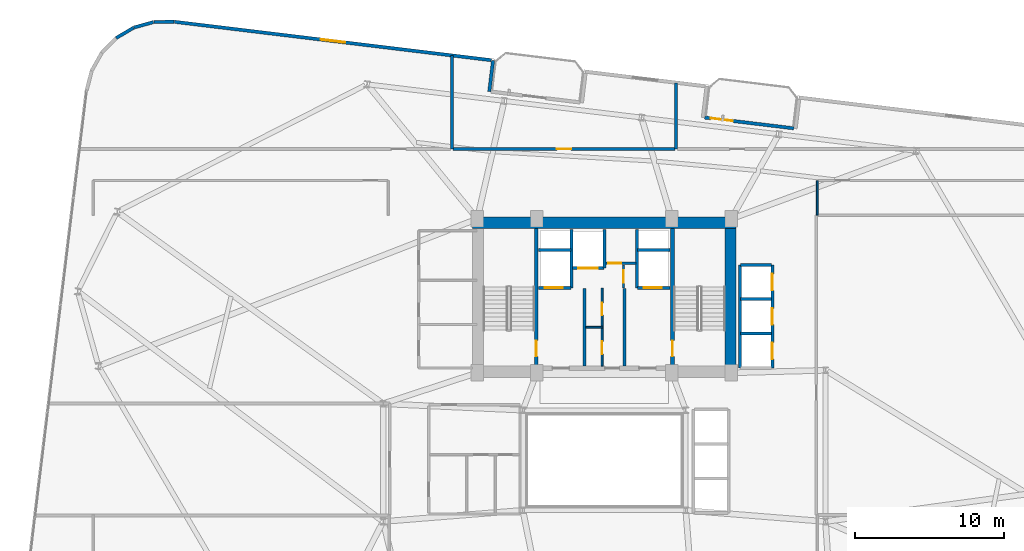
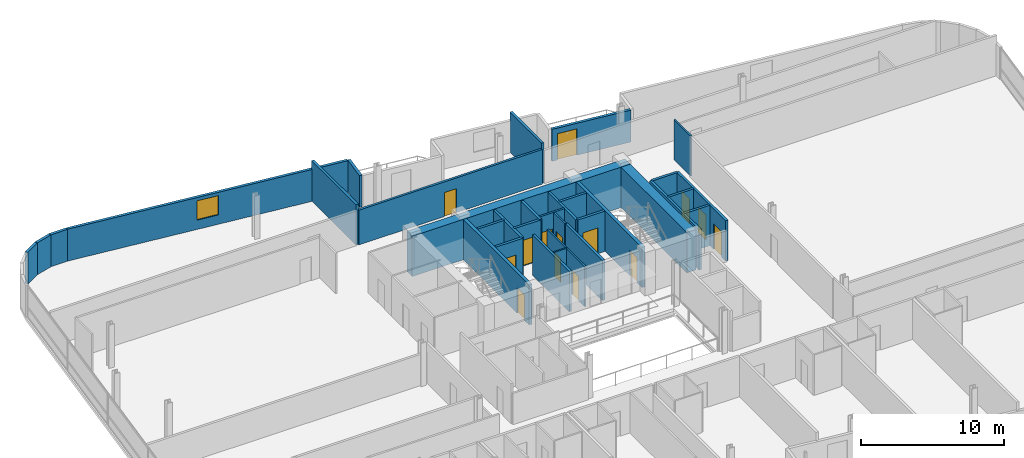
# One storey, part 23 of 26: 33 walls, 14 doors, 1 window, 15 openings.
"""IFC4 building model written with IfcOpenShell, lengths in metres."""

from ifc_helpers import new_model, si_unit, direction, frame, frame_2d, origin, place, context, subcontext, project, spatial, rectangle, extrude, material, layer, layer_set, type_object, element, fill, save


model = new_model("IFC4")

# Units and contexts
model_context = context("Model", 3, precision=1e-05, world=origin(), true_north=direction((0.0, 1.0)))
body_context = subcontext(model_context, "Body", "Model", "MODEL_VIEW")
ifc_project = project(units=[si_unit("LENGTHUNIT", "METRE"), si_unit("AREAUNIT", "SQUARE_METRE"), si_unit("VOLUMEUNIT", "CUBIC_METRE"), si_unit("PLANEANGLEUNIT", "RADIAN"), si_unit("MASSUNIT", "GRAM", prefix="KILO")], contexts=[model_context])

# Site, building, storey
site_placement = place(None, origin())
site = spatial("IfcSite", under=ifc_project, at=site_placement, CompositionType="ELEMENT")
building_placement = place(site_placement, origin())
building = spatial("IfcBuilding", under=site, at=building_placement, Name="Varnelok Gate Tower", CompositionType="ELEMENT")
storey_placement = place(building_placement, frame((0.0, 0.0, 155.0)))
storey = spatial("IfcBuildingStorey", under=building, at=storey_placement, Name="L39", CompositionType="ELEMENT", Elevation=155.0)

# Wall, opening, door
ifc_material_1 = material(Name="Concrete C45/55", Category="concrete")
ifc_layer_1 = layer(ifc_material_1, 0.219970703125)
ifc_layer_set_1 = layer_set([ifc_layer_1], Name="Concrete C45/55")
wall_type_1 = type_object("IfcWallType", Name="EW-BALC-220", PredefinedType="SOLIDWALL", material=ifc_layer_set_1)
wall_1_placement = place(storey_placement, frame((45.919677734375, 45.83056640625, 0.0), z_axis=(0.0, 0.0, 1.0), x_axis=(0.992729951822, -0.120362962556, 0.0)))
wall_1 = element("IfcWall", 1, at=wall_1_placement, inside=storey, type_object=wall_type_1, Name="L39 North Terrace Envelope Wall 4", PredefinedType="SOLIDWALL", context=body_context, shape_type="SweptSolid", body=[
    extrude(rectangle(XDim=6.0, YDim=0.219970703125, at=frame_2d((3.0, 0.0))), origin(), (0.0, 0.0, 1.0), 2.72998046875),
])
opening_1_placement = place(wall_1_placement, frame((0.39990234375, 0.0, 0.0)))
opening_1 = element("IfcOpeningElement", 2, at=opening_1_placement, cuts=wall_1, Name="Opening BD-1", PredefinedType="OPENING", context=body_context, shape_type="SweptSolid", body=[
    extrude(rectangle(XDim=1.5, YDim=2.25, at=frame_2d((0.75, 1.125))), frame((0.0, 0.119873046875, 0.0), z_axis=(0.0, -1.0, 0.0), x_axis=(1.0, 0.0, 0.0)), (0.0, 0.0, 1.0), 0.239990234375),
])
ifc_material_2 = material(Name="Anodized Aluminum Alloy 6063-T6", Category="aluminium")
door_type_1 = type_object("IfcDoorType", Name="DR-EXT-BALC1500", OperationType="NOTDEFINED", PredefinedType="DOOR", material=ifc_material_2)
door_1_placement = place(opening_1_placement, origin())
door_1 = element("IfcDoor", 3, at=door_1_placement, inside=storey, type_object=door_type_1, Name="L39 North Balcony Glazed Door 4", OperationType="SINGLE_SWING_LEFT", OverallHeight=2.25, OverallWidth=1.5, PredefinedType="DOOR", context=body_context, shape_type="SweptSolid", body=[
    extrude(rectangle(XDim=1.5, YDim=2.25, at=frame_2d((0.75, 1.125))), frame((0.0, 0.02490234375, 0.0), z_axis=(0.0, -1.0, 0.0), x_axis=(1.0, 0.0, 0.0)), (0.0, 0.0, 1.0), 0.050048828125),
])
fill(opening_1, door_1)

# Wall
wall_2_placement = place(storey_placement, frame((31.50390625, 47.568115234375, 0.0), z_axis=(0.0, 0.0, 1.0), x_axis=(0.120341784665, 0.992732519294, 0.0)))
element("IfcWall", 4, at=wall_2_placement, inside=storey, type_object=wall_type_1, Name="L39 Perimeter Facade Closure Wall 31", PredefinedType="SOLIDWALL", context=body_context, shape_type="SweptSolid", body=[
    extrude(rectangle(XDim=2.099853515625, YDim=0.219970703125, at=frame_2d((1.0498046875, 0.0))), origin(), (0.0, 0.0, 1.0), 2.72998046875),
])

# Wall, opening, window
wall_3_placement = place(storey_placement, frame((31.632568359375, 49.667724609375, 0.0), z_axis=(0.0, 0.0, 1.0), x_axis=(-0.992731670483, 0.120348786531, 0.0)))
wall_3 = element("IfcWall", 5, at=wall_3_placement, inside=storey, type_object=wall_type_1, Name="L39 Perimeter Facade Closure Wall 32", PredefinedType="SOLIDWALL", context=body_context, shape_type="SweptSolid", body=[
    extrude(rectangle(XDim=21.34716796875, YDim=0.219970703125, at=frame_2d((10.673583984375, 0.0))), origin(), (0.0, 0.0, 1.0), 2.72998046875),
])
opening_2_placement = place(wall_3_placement, frame((9.8486328125, 0.0, 0.800048828125)))
opening_2 = element("IfcOpeningElement", 6, at=opening_2_placement, cuts=wall_3, Name="Opening WN3", PredefinedType="OPENING", context=body_context, shape_type="SweptSolid", body=[
    extrude(rectangle(XDim=1.64990234375, YDim=1.64990234375, at=frame_2d((0.824951171875, 0.824951171875))), frame((0.0, 0.119873046875, 0.0), z_axis=(0.0, -1.0, 0.0), x_axis=(1.0, 0.0, 0.0)), (0.0, 0.0, 1.0), 0.239990234375),
])
ifc_material_3 = material(Name="Low-E Laminated Double Glazing IGU", Category="glass")
window_type = type_object("IfcWindowType", Name="WN-HTL-1650", PartitioningType="SINGLE_PANEL", PredefinedType="WINDOW", material=ifc_material_3)
window_placement = place(opening_2_placement, origin())
window = element("IfcWindow", 7, at=window_placement, inside=storey, type_object=window_type, Name="L39 Perimeter Vision Window 32", OverallHeight=1.64990234375, OverallWidth=1.64990234375, PartitioningType="SINGLE_PANEL", PredefinedType="WINDOW", context=body_context, shape_type="SweptSolid", body=[
    extrude(rectangle(XDim=1.64990234375, YDim=1.64990234375, at=frame_2d((0.824951171875, 0.824951171875))), frame((0.0, 0.030029296875, 0.0), z_axis=(0.0, -1.0, 0.0), x_axis=(1.0, 0.0, 0.0)), (0.0, 0.0, 1.0), 0.06005859375),
])
fill(opening_2, window)

# Walls
wall_4_placement = place(storey_placement, frame((10.41552734375, 52.236572265625, 0.0), z_axis=(0.0, 0.0, 1.0), x_axis=(-0.999947718056, -0.010225514878, 0.0)))
element("IfcWall", 8, at=wall_4_placement, inside=storey, type_object=wall_type_1, Name="L39 Perimeter Facade Closure Wall 33", PredefinedType="SOLIDWALL", context=body_context, shape_type="SweptSolid", body=[
    extrude(rectangle(XDim=1.36083984375, YDim=0.219970703125, at=frame_2d((0.680419921875, 0.0))), origin(), (0.0, 0.0, 1.0), 2.72998046875),
])
for number, where, z_axis, x_axis, name in (
    (9, (9.030517578125, 52.2158203125, 0.0), (0.0, 0.0, 1.0), (-0.963227802828, -0.268686061898, 0.0), "L39 Perimeter Facade Closure Wall 34"),
    (10, (7.70556640625, 51.839599609375, 0.0), (0.0, 0.0, 1.0), (-0.860739665837, -0.509045408244, 0.0), "L39 Perimeter Facade Closure Wall 35"),
):
    element("IfcWall", number, at=place(storey_placement, frame(where, z_axis=z_axis, x_axis=x_axis)), inside=storey, type_object=wall_type_1, Name=name, PredefinedType="SOLIDWALL", context=body_context, shape_type="SweptSolid", body=[
        extrude(rectangle(XDim=1.35302734375, YDim=0.219970703125, at=frame_2d((0.676513671875, 0.0))), origin(), (0.0, 0.0, 1.0), 2.72998046875),
    ])

# Wall, opening, door
ifc_material_4 = material(Name="Gypsum Plasterboard Acoustic Partition", Category="gypsum")
ifc_layer_2 = layer(ifc_material_4, 0.179931640625)
ifc_layer_set_2 = layer_set([ifc_layer_2], Name="Gypsum Plasterboard Acoustic Partition")
wall_type_2 = type_object("IfcWallType", Name="PW-CORR-180", PredefinedType="PARTITIONING", material=ifc_layer_set_2)
wall_5_placement = place(storey_placement, frame((29.080078125, 43.72998046875, 0.0), z_axis=(0.0, 0.0, 1.0), x_axis=(1.0, 0.0, 0.0)))
wall_5 = element("IfcWall", 11, at=wall_5_placement, inside=storey, type_object=wall_type_2, Name="Interior Partition", PredefinedType="PARTITIONING", context=body_context, shape_type="SweptSolid", body=[
    extrude(rectangle(XDim=14.83984375, YDim=0.179931640625, at=frame_2d((7.419921875, 0.0))), origin(), (0.0, 0.0, 1.0), 2.971923828125),
])
opening_3_placement = place(wall_5_placement, frame((6.945068359375, 0.0, 0.0)))
opening_3 = element("IfcOpeningElement", 12, at=opening_3_placement, cuts=wall_5, Name="Opening D-I2", PredefinedType="OPENING", context=body_context, shape_type="SweptSolid", body=[
    extrude(rectangle(XDim=0.949951171875, YDim=2.050048828125, at=frame_2d((0.47509765625, 1.02490234375))), frame((0.0, 0.099853515625, 0.0), z_axis=(0.0, -1.0, 0.0), x_axis=(1.0, 0.0, 0.0)), (0.0, 0.0, 1.0), 0.199951171875),
])
ifc_material_5 = material(Name="Engineered Hardwood Timber", Category="wood")
door_type_2 = type_object("IfcDoorType", Name="DR-INT-950", OperationType="NOTDEFINED", PredefinedType="DOOR", material=ifc_material_5)
door_2_placement = place(opening_3_placement, origin())
door_2 = element("IfcDoor", 13, at=door_2_placement, inside=storey, type_object=door_type_2, Name="L39 Hotel Fitness Studio Door", OperationType="SINGLE_SWING_LEFT", OverallHeight=2.050048828125, OverallWidth=0.949951171875, PredefinedType="DOOR", context=body_context, shape_type="SweptSolid", body=[
    extrude(rectangle(XDim=0.949951171875, YDim=2.050048828125, at=frame_2d((0.47509765625, 1.02490234375))), frame((0.0, 0.02490234375, 0.0), z_axis=(0.0, -1.0, 0.0), x_axis=(1.0, 0.0, 0.0)), (0.0, 0.0, 1.0), 0.050048828125),
])
fill(opening_3, door_2)

# Walls
ifc_layer_3 = layer(ifc_material_4, 0.125)
ifc_layer_set_3 = layer_set([ifc_layer_3], Name="Gypsum Plasterboard Acoustic Partition")
wall_type_3 = type_object("IfcWallType", Name="PW-PART-125", PredefinedType="PARTITIONING", material=ifc_layer_set_3)
wall_6_placement = place(storey_placement, frame((53.449951171875, 39.300048828125, 0.0), z_axis=(0.0, 0.0, 1.0), x_axis=(0.0, 1.0, 0.0)))
element("IfcWall", 14, at=wall_6_placement, inside=storey, type_object=wall_type_3, Name="Interior Partition", PredefinedType="PARTITIONING", context=body_context, shape_type="SweptSolid", body=[
    extrude(rectangle(XDim=2.31005859375, YDim=0.125, at=frame_2d((1.155029296875, 0.0))), origin(), (0.0, 0.0, 1.0), 3.449951171875),
])
wall_7_placement = place(storey_placement, frame((37.9599609375, 31.800048828125, 0.0), z_axis=(0.0, 0.0, 1.0), x_axis=(1.0, 0.0, 0.0)))
element("IfcWall", 15, at=wall_7_placement, inside=storey, type_object=wall_type_3, Name="Interior Partition", PredefinedType="PARTITIONING", context=body_context, shape_type="SweptSolid", body=[
    extrude(rectangle(XDim=1.090087890625, YDim=0.125, at=frame_2d((0.544921875, 0.0))), origin(), (0.0, 0.0, 1.0), 3.449951171875),
])

# Wall, openings, doors
wall_8_placement = place(storey_placement, frame((39.050048828125, 29.199951171875, 0.0), z_axis=(0.0, 0.0, 1.0), x_axis=(0.0, 1.0, 0.0)))
wall_8 = element("IfcWall", 16, at=wall_8_placement, inside=storey, type_object=wall_type_3, Name="Interior Partition", PredefinedType="PARTITIONING", context=body_context, shape_type="SweptSolid", body=[
    extrude(rectangle(XDim=5.219970703125, YDim=0.125, at=frame_2d((2.60986328125, 0.0))), origin(), (0.0, 0.0, 1.0), 3.449951171875),
])
opening_4_placement = place(wall_8_placement, frame((0.800048828125, 0.0, 0.0)))
opening_4 = element("IfcOpeningElement", 17, at=opening_4_placement, cuts=wall_8, Name="Opening D-RS", PredefinedType="OPENING", context=body_context, shape_type="SweptSolid", body=[
    extrude(rectangle(XDim=0.85009765625, YDim=2.050048828125, at=frame_2d((0.425048828125, 1.02490234375))), frame((0.0, 0.072509765625, 0.0), z_axis=(0.0, -1.0, 0.0), x_axis=(1.0, 0.0, 0.0)), (0.0, 0.0, 1.0), 0.14501953125),
])
opening_5_placement = place(wall_8_placement, frame((3.39990234375, 0.0, 0.0)))
opening_5 = element("IfcOpeningElement", 18, at=opening_5_placement, cuts=wall_8, Name="Opening D-RS", PredefinedType="OPENING", context=body_context, shape_type="SweptSolid", body=[
    extrude(rectangle(XDim=0.85009765625, YDim=2.050048828125, at=frame_2d((0.425048828125, 1.02490234375))), frame((0.0, 0.072509765625, 0.0), z_axis=(0.0, -1.0, 0.0), x_axis=(1.0, 0.0, 0.0)), (0.0, 0.0, 1.0), 0.14501953125),
])
ifc_material_6 = material(Name="Galvanized Steel Grade S350GD", Category="steel")
door_type_3 = type_object("IfcDoorType", Name="DR-RISER-850", OperationType="NOTDEFINED", PredefinedType="DOOR", material=ifc_material_6)
door_3_placement = place(opening_4_placement, origin())
door_3 = element("IfcDoor", 19, at=door_3_placement, inside=storey, type_object=door_type_3, Name="L39 Housekeeping Linen Door", OperationType="SINGLE_SWING_LEFT", OverallHeight=2.050048828125, OverallWidth=0.85009765625, PredefinedType="DOOR", context=body_context, shape_type="SweptSolid", body=[
    extrude(rectangle(XDim=0.85009765625, YDim=2.050048828125, at=frame_2d((0.425048828125, 1.02490234375))), frame((0.0, 0.02490234375, 0.0), z_axis=(0.0, -1.0, 0.0), x_axis=(1.0, 0.0, 0.0)), (0.0, 0.0, 1.0), 0.050048828125),
])
fill(opening_4, door_3)
door_4_placement = place(opening_5_placement, origin())
door_4 = element("IfcDoor", 20, at=door_4_placement, inside=storey, type_object=door_type_3, Name="L39 Janitor Sink Door", OperationType="SINGLE_SWING_RIGHT", OverallHeight=2.050048828125, OverallWidth=0.85009765625, PredefinedType="DOOR", context=body_context, shape_type="SweptSolid", body=[
    extrude(rectangle(XDim=0.85009765625, YDim=2.050048828125, at=frame_2d((0.425048828125, 1.02490234375))), frame((0.0, 0.02490234375, 0.0), z_axis=(0.0, -1.0, 0.0), x_axis=(1.0, 0.0, 0.0)), (0.0, 0.0, 1.0), 0.050048828125),
])
fill(opening_5, door_4)

# Wall, opening, door
ifc_layer_4 = layer(ifc_material_4, 0.14990234375)
ifc_layer_set_4 = layer_set([ifc_layer_4], Name="Gypsum Plasterboard Acoustic Partition")
wall_type_4 = type_object("IfcWallType", Name="PW-PART-150", PredefinedType="PARTITIONING", material=ifc_layer_set_4)
wall_9_placement = place(storey_placement, frame((39.300048828125, 36.080078125, 0.0), z_axis=(0.0, 0.0, 1.0), x_axis=(1.0, 0.0, 0.0)))
wall_9 = element("IfcWall", 21, at=wall_9_placement, inside=storey, type_object=wall_type_4, Name="L39 Electrical Closet South Wall", PredefinedType="PARTITIONING", context=body_context, shape_type="SweptSolid", body=[
    extrude(rectangle(XDim=2.02001953125, YDim=0.14990234375, at=frame_2d((1.010009765625, 0.0))), origin(), (0.0, 0.0, 1.0), 3.449951171875),
])
opening_6_placement = place(wall_9_placement, frame((0.179931640625, 0.0, 0.0)))
opening_6 = element("IfcOpeningElement", 22, at=opening_6_placement, cuts=wall_9, Name="Opening D-RS", PredefinedType="OPENING", context=body_context, shape_type="SweptSolid", body=[
    extrude(rectangle(XDim=0.85009765625, YDim=2.050048828125, at=frame_2d((0.425048828125, 1.02490234375))), frame((0.0, 0.0849609375, 0.0), z_axis=(0.0, -1.0, 0.0), x_axis=(1.0, 0.0, 0.0)), (0.0, 0.0, 1.0), 0.169921875),
])
door_5_placement = place(opening_6_placement, origin())
door_5 = element("IfcDoor", 23, at=door_5_placement, inside=storey, type_object=door_type_3, Name="L39 Electrical Closet Door", OperationType="SINGLE_SWING_RIGHT", OverallHeight=2.050048828125, OverallWidth=0.85009765625, PredefinedType="DOOR", context=body_context, shape_type="SweptSolid", body=[
    extrude(rectangle(XDim=0.85009765625, YDim=2.050048828125, at=frame_2d((0.425048828125, 1.02490234375))), frame((0.0, 0.02490234375, 0.0), z_axis=(0.0, -1.0, 0.0), x_axis=(1.0, 0.0, 0.0)), (0.0, 0.0, 1.0), 0.050048828125),
])
fill(opening_6, door_5)

wall_10_placement = place(storey_placement, frame((40.47998046875, 34.43994140625, 0.0), z_axis=(0.0, 0.0, 1.0), x_axis=(0.0, 1.0, 0.0)))
wall_10 = element("IfcWall", 24, at=wall_10_placement, inside=storey, type_object=wall_type_4, Name="L39 Telecoms Closet West Wall", PredefinedType="PARTITIONING", context=body_context, shape_type="SweptSolid", body=[
    extrude(rectangle(XDim=1.52001953125, YDim=0.14990234375, at=frame_2d((0.760009765625, 0.0))), origin(), (0.0, 0.0, 1.0), 3.449951171875),
])
opening_7_placement = place(wall_10_placement, frame((0.320068359375, 0.0, 0.0)))
opening_7 = element("IfcOpeningElement", 25, at=opening_7_placement, cuts=wall_10, Name="Opening D-RS", PredefinedType="OPENING", context=body_context, shape_type="SweptSolid", body=[
    extrude(rectangle(XDim=0.85009765625, YDim=2.050048828125, at=frame_2d((0.425048828125, 1.02490234375))), frame((0.0, 0.0849609375, 0.0), z_axis=(0.0, -1.0, 0.0), x_axis=(1.0, 0.0, 0.0)), (0.0, 0.0, 1.0), 0.169921875),
])
door_6_placement = place(opening_7_placement, origin())
door_6 = element("IfcDoor", 26, at=door_6_placement, inside=storey, type_object=door_type_3, Name="L39 Telecoms Closet Door", OperationType="SINGLE_SWING_LEFT", OverallHeight=2.050048828125, OverallWidth=0.85009765625, PredefinedType="DOOR", context=body_context, shape_type="SweptSolid", body=[
    extrude(rectangle(XDim=0.85009765625, YDim=2.050048828125, at=frame_2d((0.425048828125, 1.02490234375))), frame((0.0, 0.02490234375, 0.0), z_axis=(0.0, -1.0, 0.0), x_axis=(1.0, 0.0, 0.0)), (0.0, 0.0, 1.0), 0.050048828125),
])
fill(opening_7, door_6)

# Walls
ifc_layer_5 = layer(ifc_material_4, 0.205078125)
ifc_layer_set_5 = layer_set([ifc_layer_5], Name="Gypsum Plasterboard Acoustic Partition")
wall_type_5 = type_object("IfcWallType", Name="PW-PARTY-200", PredefinedType="PARTITIONING", material=ifc_layer_set_5)
wall_11_placement = place(storey_placement, frame((29.0, 43.72998046875, 0.0), z_axis=(0.0, 0.0, 1.0), x_axis=(0.0, 1.0, 0.0)))
element("IfcWall", 27, at=wall_11_placement, inside=storey, type_object=wall_type_5, Name="L39 North Party Wall 1", PredefinedType="PARTITIONING", context=body_context, shape_type="SweptSolid", body=[
    extrude(rectangle(XDim=6.23681640625, YDim=0.205078125, at=frame_2d((3.118408203125, 0.0))), origin(), (0.0, 0.0, 1.0), 3.449951171875),
])
wall_12_placement = place(storey_placement, frame((44.0, 43.72998046875, 0.0), z_axis=(0.0, 0.0, 1.0), x_axis=(0.0, 1.0, 0.0)))
element("IfcWall", 28, at=wall_12_placement, inside=storey, type_object=wall_type_5, Name="L39 North Party Wall 2", PredefinedType="PARTITIONING", context=body_context, shape_type="SweptSolid", body=[
    extrude(rectangle(XDim=4.41845703125, YDim=0.205078125, at=frame_2d((2.209228515625, 0.0))), origin(), (0.0, 0.0, 1.0), 3.449951171875),
])
ifc_material_7 = material(Name="Concrete C35/45", Category="concrete")
ifc_layer_6 = layer(ifc_material_7, 0.199951171875)
ifc_layer_set_6 = layer_set([ifc_layer_6], Name="Concrete C35/45")
wall_type_6 = type_object("IfcWallType", Name="PW-SHAFT-200", PredefinedType="PARTITIONING", material=ifc_layer_set_6)
for number, where, z_axis, x_axis, name in (
    (29, (37.860107421875, 29.199951171875, 0.0), (0.0, 0.0, 1.0), (0.0, 1.0, 0.0), "L39 West FF Lobby Rated Wall"),
    (30, (40.5400390625, 29.199951171875, 0.0), (0.0, 0.0, 1.0), (0.0, 1.0, 0.0), "L39 East FF Lobby Rated Wall"),
):
    element("IfcWall", number, at=place(storey_placement, frame(where, z_axis=z_axis, x_axis=x_axis)), inside=storey, type_object=wall_type_6, Name=name, PredefinedType="PARTITIONING", context=body_context, shape_type="SweptSolid", body=[
        extrude(rectangle(XDim=5.179931640625, YDim=0.199951171875, at=frame_2d((2.58984375, 0.0))), origin(), (0.0, 0.0, 1.0), 3.449951171875),
    ])

# Wall, opening, door
wall_13_placement = place(storey_placement, frame((34.800048828125, 34.43994140625, 0.0), z_axis=(0.0, 0.0, 1.0), x_axis=(1.0, 0.0, 0.0)))
wall_13 = element("IfcWall", 31, at=wall_13_placement, inside=storey, type_object=wall_type_6, Name="L39 FF1 Shaft Front Wall", PredefinedType="PARTITIONING", context=body_context, shape_type="SweptSolid", body=[
    extrude(rectangle(XDim=2.179931640625, YDim=0.199951171875, at=frame_2d((1.08984375, 0.0))), origin(), (0.0, 0.0, 1.0), 3.449951171875),
])
opening_8_placement = place(wall_13_placement, frame((0.419921875, 0.0, 0.0)))
opening_8 = element("IfcOpeningElement", 32, at=opening_8_placement, cuts=wall_13, Name="Opening LD-FF1", PredefinedType="OPENING", context=body_context, shape_type="SweptSolid", body=[
    extrude(rectangle(XDim=1.199951171875, YDim=2.199951171875, at=frame_2d((0.60009765625, 1.10009765625))), frame((0.0, 0.10986328125, 0.0), z_axis=(0.0, -1.0, 0.0), x_axis=(1.0, 0.0, 0.0)), (0.0, 0.0, 1.0), 0.219970703125),
])
door_type_4 = type_object("IfcDoorType", Name="DR-LIFT-FF1200", OperationType="SLIDING_TO_LEFT", PredefinedType="DOOR", material=ifc_material_6)
door_7_placement = place(opening_8_placement, origin())
door_7 = element("IfcDoor", 33, at=door_7_placement, inside=storey, type_object=door_type_4, Name="L39 Firefighting Lift Landing Door LD-FF1", OperationType="SLIDING_TO_LEFT", OverallHeight=2.199951171875, OverallWidth=1.199951171875, PredefinedType="DOOR", context=body_context, shape_type="SweptSolid", body=[
    extrude(rectangle(XDim=1.199951171875, YDim=2.199951171875, at=frame_2d((0.60009765625, 1.10009765625))), frame((0.0, 0.02490234375, 0.0), z_axis=(0.0, -1.0, 0.0), x_axis=(1.0, 0.0, 0.0)), (0.0, 0.0, 1.0), 0.050048828125),
])
fill(opening_8, door_7)

# Walls
wall_14_placement = place(storey_placement, frame((34.800048828125, 36.97998046875, 0.0), z_axis=(0.0, 0.0, 1.0), x_axis=(1.0, 0.0, 0.0)))
element("IfcWall", 34, at=wall_14_placement, inside=storey, type_object=wall_type_6, Name="L39 FF1 Shaft North Wall", PredefinedType="PARTITIONING", context=body_context, shape_type="SweptSolid", body=[
    extrude(rectangle(XDim=2.179931640625, YDim=0.199951171875, at=frame_2d((1.08984375, 0.0))), origin(), (0.0, 0.0, 1.0), 3.449951171875),
])
wall_15_placement = place(storey_placement, frame((37.0, 34.43994140625, 0.0), z_axis=(0.0, 0.0, 1.0), x_axis=(0.0, 1.0, 0.0)))
element("IfcWall", 35, at=wall_15_placement, inside=storey, type_object=wall_type_6, Name="L39 FF1 Shaft Side Wall", PredefinedType="PARTITIONING", context=body_context, shape_type="SweptSolid", body=[
    extrude(rectangle(XDim=3.900146484375, YDim=0.199951171875, at=frame_2d((1.9501953125, 0.0))), origin(), (0.0, 0.0, 1.0), 3.449951171875),
])

# Wall, opening, door
wall_16_placement = place(storey_placement, frame((41.419921875, 34.43994140625, 0.0), z_axis=(0.0, 0.0, 1.0), x_axis=(1.0, 0.0, 0.0)))
wall_16 = element("IfcWall", 36, at=wall_16_placement, inside=storey, type_object=wall_type_6, Name="L39 FF2 Shaft Front Wall", PredefinedType="PARTITIONING", context=body_context, shape_type="SweptSolid", body=[
    extrude(rectangle(XDim=2.18017578125, YDim=0.199951171875, at=frame_2d((1.090087890625, 0.0))), origin(), (0.0, 0.0, 1.0), 3.449951171875),
])
opening_9_placement = place(wall_16_placement, frame((0.419921875, 0.0, 0.0)))
opening_9 = element("IfcOpeningElement", 37, at=opening_9_placement, cuts=wall_16, Name="Opening LD-FF2", PredefinedType="OPENING", context=body_context, shape_type="SweptSolid", body=[
    extrude(rectangle(XDim=1.199951171875, YDim=2.199951171875, at=frame_2d((0.60009765625, 1.10009765625))), frame((0.0, 0.10986328125, 0.0), z_axis=(0.0, -1.0, 0.0), x_axis=(1.0, 0.0, 0.0)), (0.0, 0.0, 1.0), 0.219970703125),
])
door_8_placement = place(opening_9_placement, origin())
door_8 = element("IfcDoor", 38, at=door_8_placement, inside=storey, type_object=door_type_4, Name="L39 Firefighting Lift Landing Door LD-FF2", OperationType="SLIDING_TO_LEFT", OverallHeight=2.199951171875, OverallWidth=1.199951171875, PredefinedType="DOOR", context=body_context, shape_type="SweptSolid", body=[
    extrude(rectangle(XDim=1.199951171875, YDim=2.199951171875, at=frame_2d((0.60009765625, 1.10009765625))), frame((0.0, 0.02490234375, 0.0), z_axis=(0.0, -1.0, 0.0), x_axis=(1.0, 0.0, 0.0)), (0.0, 0.0, 1.0), 0.050048828125),
])
fill(opening_9, door_8)

# Walls
wall_17_placement = place(storey_placement, frame((41.419921875, 36.97998046875, 0.0), z_axis=(0.0, 0.0, 1.0), x_axis=(1.0, 0.0, 0.0)))
element("IfcWall", 39, at=wall_17_placement, inside=storey, type_object=wall_type_6, Name="L39 FF2 Shaft North Wall", PredefinedType="PARTITIONING", context=body_context, shape_type="SweptSolid", body=[
    extrude(rectangle(XDim=2.18017578125, YDim=0.199951171875, at=frame_2d((1.090087890625, 0.0))), origin(), (0.0, 0.0, 1.0), 3.449951171875),
])
wall_18_placement = place(storey_placement, frame((41.39990234375, 34.43994140625, 0.0), z_axis=(0.0, 0.0, 1.0), x_axis=(0.0, 1.0, 0.0)))
element("IfcWall", 40, at=wall_18_placement, inside=storey, type_object=wall_type_6, Name="L39 FF2 Shaft Side Wall", PredefinedType="PARTITIONING", context=body_context, shape_type="SweptSolid", body=[
    extrude(rectangle(XDim=3.900146484375, YDim=0.199951171875, at=frame_2d((1.9501953125, 0.0))), origin(), (0.0, 0.0, 1.0), 3.449951171875),
])

# Wall, opening, door
wall_19_placement = place(storey_placement, frame((37.06005859375, 35.75, 0.0), z_axis=(0.0, 0.0, 1.0), x_axis=(1.0, 0.0, 0.0)))
wall_19 = element("IfcWall", 41, at=wall_19_placement, inside=storey, type_object=wall_type_6, Name="L39 SV1 Shaft Front Wall", PredefinedType="PARTITIONING", context=body_context, shape_type="SweptSolid", body=[
    extrude(rectangle(XDim=2.119873046875, YDim=0.199951171875, at=frame_2d((1.06005859375, 0.0))), origin(), (0.0, 0.0, 1.0), 3.449951171875),
])
opening_10_placement = place(wall_19_placement, frame((0.39990234375, 0.0, 0.0)))
opening_10 = element("IfcOpeningElement", 42, at=opening_10_placement, cuts=wall_19, Name="Opening LD-SV1", PredefinedType="OPENING", context=body_context, shape_type="SweptSolid", body=[
    extrude(rectangle(XDim=1.300048828125, YDim=2.199951171875, at=frame_2d((0.64990234375, 1.10009765625))), frame((0.0, 0.10986328125, 0.0), z_axis=(0.0, -1.0, 0.0), x_axis=(1.0, 0.0, 0.0)), (0.0, 0.0, 1.0), 0.219970703125),
])
door_type_5 = type_object("IfcDoorType", Name="DR-LIFT-SV1300", OperationType="SLIDING_TO_LEFT", PredefinedType="DOOR", material=ifc_material_6)
door_9_placement = place(opening_10_placement, origin())
door_9 = element("IfcDoor", 43, at=door_9_placement, inside=storey, type_object=door_type_5, Name="L39 Service Lift Landing Door LD-SV1", OperationType="SLIDING_TO_LEFT", OverallHeight=2.199951171875, OverallWidth=1.300048828125, PredefinedType="DOOR", context=body_context, shape_type="SweptSolid", body=[
    extrude(rectangle(XDim=1.300048828125, YDim=2.199951171875, at=frame_2d((0.64990234375, 1.10009765625))), frame((0.0, 0.02490234375, 0.0), z_axis=(0.0, -1.0, 0.0), x_axis=(1.0, 0.0, 0.0)), (0.0, 0.0, 1.0), 0.050048828125),
])
fill(opening_10, door_9)

# Walls
wall_20_placement = place(storey_placement, frame((39.219970703125, 35.75, 0.0), z_axis=(0.0, 0.0, 1.0), x_axis=(0.0, 1.0, 0.0)))
element("IfcWall", 44, at=wall_20_placement, inside=storey, type_object=wall_type_6, Name="L39 SV1 Shaft East Wall", PredefinedType="PARTITIONING", context=body_context, shape_type="SweptSolid", body=[
    extrude(rectangle(XDim=2.590087890625, YDim=0.199951171875, at=frame_2d((1.294921875, 0.0))), origin(), (0.0, 0.0, 1.0), 3.449951171875),
])
for number, where, z_axis, x_axis, name in (
    (45, (48.320068359375, 31.375, 0.0), (0.0, 0.0, 1.0), (1.0, 0.0, 0.0), "L39 PM1 Divider"),
    (46, (48.320068359375, 33.675048828125, 0.0), (0.0, 0.0, 1.0), (1.0, 0.0, 0.0), "L39 PM2 Divider"),
    (47, (48.320068359375, 35.969970703125, 0.0), (0.0, 0.0, 1.0), (1.0, 0.0, 0.0), "L39 PM Bank North Wall"),
):
    element("IfcWall", number, at=place(storey_placement, frame(where, z_axis=z_axis, x_axis=x_axis)), inside=storey, type_object=wall_type_6, Name=name, PredefinedType="PARTITIONING", context=body_context, shape_type="SweptSolid", body=[
        extrude(rectangle(XDim=2.059814453125, YDim=0.199951171875, at=frame_2d((1.02978515625, 0.0))), origin(), (0.0, 0.0, 1.0), 3.449951171875),
    ])
wall_21_placement = place(storey_placement, frame((48.280029296875, 29.080078125, 0.0), z_axis=(0.0, 0.0, 1.0), x_axis=(0.0, 1.0, 0.0)))
element("IfcWall", 48, at=wall_21_placement, inside=storey, type_object=wall_type_6, Name="L39 PM Bank Back Wall", PredefinedType="PARTITIONING", context=body_context, shape_type="SweptSolid", body=[
    extrude(rectangle(XDim=6.889892578125, YDim=0.199951171875, at=frame_2d((3.44482421875, 0.0))), origin(), (0.0, 0.0, 1.0), 3.449951171875),
])

# Wall, openings, doors
wall_22_placement = place(storey_placement, frame((50.43994140625, 29.080078125, 0.0), z_axis=(0.0, 0.0, 1.0), x_axis=(0.0, 1.0, 0.0)))
wall_22 = element("IfcWall", 49, at=wall_22_placement, inside=storey, type_object=wall_type_6, Name="L39 PM Bank Front Wall", PredefinedType="PARTITIONING", context=body_context, shape_type="SweptSolid", body=[
    extrude(rectangle(XDim=6.889892578125, YDim=0.199951171875, at=frame_2d((3.44482421875, 0.0))), origin(), (0.0, 0.0, 1.0), 3.449951171875),
])
opening_11_placement = place(wall_22_placement, frame((0.590087890625, 0.0, 0.0)))
opening_11 = element("IfcOpeningElement", 50, at=opening_11_placement, cuts=wall_22, Name="Opening LD-PM1", PredefinedType="OPENING", context=body_context, shape_type="SweptSolid", body=[
    extrude(rectangle(XDim=1.10009765625, YDim=2.14990234375, at=frame_2d((0.550048828125, 1.074951171875))), frame((0.0, 0.10986328125, 0.0), z_axis=(0.0, -1.0, 0.0), x_axis=(1.0, 0.0, 0.0)), (0.0, 0.0, 1.0), 0.219970703125),
])
opening_12_placement = place(wall_22_placement, frame((2.889892578125, 0.0, 0.0)))
opening_12 = element("IfcOpeningElement", 51, at=opening_12_placement, cuts=wall_22, Name="Opening LD-PM2", PredefinedType="OPENING", context=body_context, shape_type="SweptSolid", body=[
    extrude(rectangle(XDim=1.10009765625, YDim=2.14990234375, at=frame_2d((0.550048828125, 1.074951171875))), frame((0.0, 0.10986328125, 0.0), z_axis=(0.0, -1.0, 0.0), x_axis=(1.0, 0.0, 0.0)), (0.0, 0.0, 1.0), 0.219970703125),
])
opening_13_placement = place(wall_22_placement, frame((5.18994140625, 0.0, 0.0)))
opening_13 = element("IfcOpeningElement", 52, at=opening_13_placement, cuts=wall_22, Name="Opening LD-PM3", PredefinedType="OPENING", context=body_context, shape_type="SweptSolid", body=[
    extrude(rectangle(XDim=1.10009765625, YDim=2.14990234375, at=frame_2d((0.550048828125, 1.074951171875))), frame((0.0, 0.10986328125, 0.0), z_axis=(0.0, -1.0, 0.0), x_axis=(1.0, 0.0, 0.0)), (0.0, 0.0, 1.0), 0.219970703125),
])
door_type_6 = type_object("IfcDoorType", Name="DR-LIFT-PAX1100", OperationType="SLIDING_TO_LEFT", PredefinedType="DOOR", material=ifc_material_6)
door_10_placement = place(opening_11_placement, origin())
door_10 = element("IfcDoor", 53, at=door_10_placement, inside=storey, type_object=door_type_6, Name="L39 Passenger Lift Landing Door LD-PM1", OperationType="SLIDING_TO_LEFT", OverallHeight=2.14990234375, OverallWidth=1.10009765625, PredefinedType="DOOR", context=body_context, shape_type="SweptSolid", body=[
    extrude(rectangle(XDim=1.10009765625, YDim=2.14990234375, at=frame_2d((0.550048828125, 1.074951171875))), frame((0.0, 0.02490234375, 0.0), z_axis=(0.0, -1.0, 0.0), x_axis=(1.0, 0.0, 0.0)), (0.0, 0.0, 1.0), 0.050048828125),
])
fill(opening_11, door_10)
door_11_placement = place(opening_12_placement, origin())
door_11 = element("IfcDoor", 54, at=door_11_placement, inside=storey, type_object=door_type_6, Name="L39 Passenger Lift Landing Door LD-PM2", OperationType="SLIDING_TO_LEFT", OverallHeight=2.14990234375, OverallWidth=1.10009765625, PredefinedType="DOOR", context=body_context, shape_type="SweptSolid", body=[
    extrude(rectangle(XDim=1.10009765625, YDim=2.14990234375, at=frame_2d((0.550048828125, 1.074951171875))), frame((0.0, 0.02490234375, 0.0), z_axis=(0.0, -1.0, 0.0), x_axis=(1.0, 0.0, 0.0)), (0.0, 0.0, 1.0), 0.050048828125),
])
fill(opening_12, door_11)
door_12_placement = place(opening_13_placement, origin())
door_12 = element("IfcDoor", 55, at=door_12_placement, inside=storey, type_object=door_type_6, Name="L39 Passenger Lift Landing Door LD-PM3", OperationType="SLIDING_TO_LEFT", OverallHeight=2.14990234375, OverallWidth=1.10009765625, PredefinedType="DOOR", context=body_context, shape_type="SweptSolid", body=[
    extrude(rectangle(XDim=1.10009765625, YDim=2.14990234375, at=frame_2d((0.550048828125, 1.074951171875))), frame((0.0, 0.02490234375, 0.0), z_axis=(0.0, -1.0, 0.0), x_axis=(1.0, 0.0, 0.0)), (0.0, 0.0, 1.0), 0.050048828125),
])
fill(opening_13, door_12)

# Walls
ifc_material_8 = material(Name="Concrete C70/85", Category="concrete")
ifc_layer_7 = layer(ifc_material_8, 0.75)
ifc_layer_set_7 = layer_set([ifc_layer_7], Name="Concrete C70/85")
wall_type_7 = type_object("IfcWallType", Name="SW-CORE-750", PredefinedType="SHEAR", material=ifc_layer_set_7)
wall_23_placement = place(storey_placement, frame((30.3798828125, 38.794921875, 0.0), z_axis=(0.0, 0.0, 1.0), x_axis=(1.0, 0.0, 0.0)))
element("IfcWall", 56, at=wall_23_placement, inside=storey, type_object=wall_type_7, Name="L39 Rear Core North Shear Wall", PredefinedType="SHEAR", context=body_context, shape_type="SweptSolid", body=[
    extrude(rectangle(XDim=17.64013671875, YDim=0.75, at=frame_2d((8.820068359375, 0.0))), origin(), (0.0, 0.0, 1.0), 3.449951171875),
])
wall_24_placement = place(storey_placement, frame((47.64501953125, 29.199951171875, 0.0), z_axis=(0.0, 0.0, 1.0), x_axis=(0.0, 1.0, 0.0)))
element("IfcWall", 57, at=wall_24_placement, inside=storey, type_object=wall_type_7, Name="L39 Rear Core East Shear Wall", PredefinedType="SHEAR", context=body_context, shape_type="SweptSolid", body=[
    extrude(rectangle(XDim=9.219970703125, YDim=0.75, at=frame_2d((4.60986328125, 0.0))), origin(), (0.0, 0.0, 1.0), 3.449951171875),
])

# Wall, opening, door
ifc_material_9 = material(Name="Concrete C60/75", Category="concrete")
ifc_layer_8 = layer(ifc_material_9, 0.25)
ifc_layer_set_8 = layer_set([ifc_layer_8], Name="Concrete C60/75")
wall_type_8 = type_object("IfcWallType", Name="SW-SHAFT-250", PredefinedType="SHEAR", material=ifc_layer_set_8)
wall_25_placement = place(storey_placement, frame((34.639892578125, 29.199951171875, 0.0), z_axis=(0.0, 0.0, 1.0), x_axis=(0.0, 1.0, 0.0)))
wall_25 = element("IfcWall", 58, at=wall_25_placement, inside=storey, type_object=wall_type_8, Name="L39 Stair ST-1 East Shear Wall", PredefinedType="SHEAR", context=body_context, shape_type="SweptSolid", body=[
    extrude(rectangle(XDim=9.219970703125, YDim=0.25, at=frame_2d((4.60986328125, 0.0))), origin(), (0.0, 0.0, 1.0), 3.449951171875),
])
opening_14_placement = place(wall_25_placement, frame((0.64990234375, 0.0, 0.0)))
opening_14 = element("IfcOpeningElement", 59, at=opening_14_placement, cuts=wall_25, Name="Opening D-ST", PredefinedType="OPENING", context=body_context, shape_type="SweptSolid", body=[
    extrude(rectangle(XDim=1.050048828125, YDim=2.14990234375, at=frame_2d((0.52490234375, 1.074951171875))), frame((0.0, 0.135009765625, 0.0), z_axis=(0.0, -1.0, 0.0), x_axis=(1.0, 0.0, 0.0)), (0.0, 0.0, 1.0), 0.27001953125),
])
door_type_7 = type_object("IfcDoorType", Name="DR-STAIR-1050", OperationType="NOTDEFINED", PredefinedType="DOOR", material=ifc_material_6)
door_13_placement = place(opening_14_placement, origin())
door_13 = element("IfcDoor", 60, at=door_13_placement, inside=storey, type_object=door_type_7, Name="L39 Exit Stair ST-1 Fire Door", OperationType="SINGLE_SWING_LEFT", OverallHeight=2.14990234375, OverallWidth=1.050048828125, PredefinedType="DOOR", context=body_context, shape_type="SweptSolid", body=[
    extrude(rectangle(XDim=1.050048828125, YDim=2.14990234375, at=frame_2d((0.52490234375, 1.074951171875))), frame((0.0, 0.02490234375, 0.0), z_axis=(0.0, -1.0, 0.0), x_axis=(1.0, 0.0, 0.0)), (0.0, 0.0, 1.0), 0.050048828125),
])
fill(opening_14, door_13)

wall_26_placement = place(storey_placement, frame((43.760009765625, 29.199951171875, 0.0), z_axis=(0.0, 0.0, 1.0), x_axis=(0.0, 1.0, 0.0)))
wall_26 = element("IfcWall", 61, at=wall_26_placement, inside=storey, type_object=wall_type_8, Name="L39 Stair ST-2 West Shear Wall", PredefinedType="SHEAR", context=body_context, shape_type="SweptSolid", body=[
    extrude(rectangle(XDim=9.219970703125, YDim=0.25, at=frame_2d((4.60986328125, 0.0))), origin(), (0.0, 0.0, 1.0), 3.449951171875),
])
opening_15_placement = place(wall_26_placement, frame((0.64990234375, 0.0, 0.0)))
opening_15 = element("IfcOpeningElement", 62, at=opening_15_placement, cuts=wall_26, Name="Opening D-ST", PredefinedType="OPENING", context=body_context, shape_type="SweptSolid", body=[
    extrude(rectangle(XDim=1.050048828125, YDim=2.14990234375, at=frame_2d((0.52490234375, 1.074951171875))), frame((0.0, 0.135009765625, 0.0), z_axis=(0.0, -1.0, 0.0), x_axis=(1.0, 0.0, 0.0)), (0.0, 0.0, 1.0), 0.27001953125),
])
door_14_placement = place(opening_15_placement, origin())
door_14 = element("IfcDoor", 63, at=door_14_placement, inside=storey, type_object=door_type_7, Name="L39 Exit Stair ST-2 Fire Door", OperationType="SINGLE_SWING_RIGHT", OverallHeight=2.14990234375, OverallWidth=1.050048828125, PredefinedType="DOOR", context=body_context, shape_type="SweptSolid", body=[
    extrude(rectangle(XDim=1.050048828125, YDim=2.14990234375, at=frame_2d((0.52490234375, 1.074951171875))), frame((0.0, 0.02490234375, 0.0), z_axis=(0.0, -1.0, 0.0), x_axis=(1.0, 0.0, 0.0)), (0.0, 0.0, 1.0), 0.050048828125),
])
fill(opening_15, door_14)

save(model, "model.ifc")
